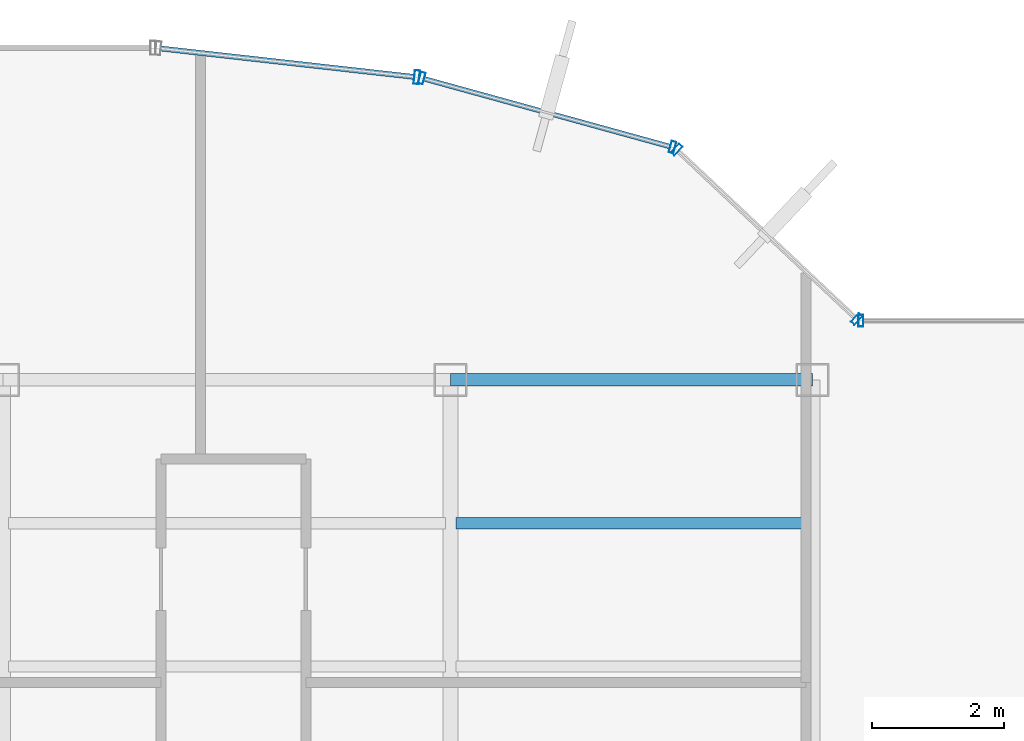
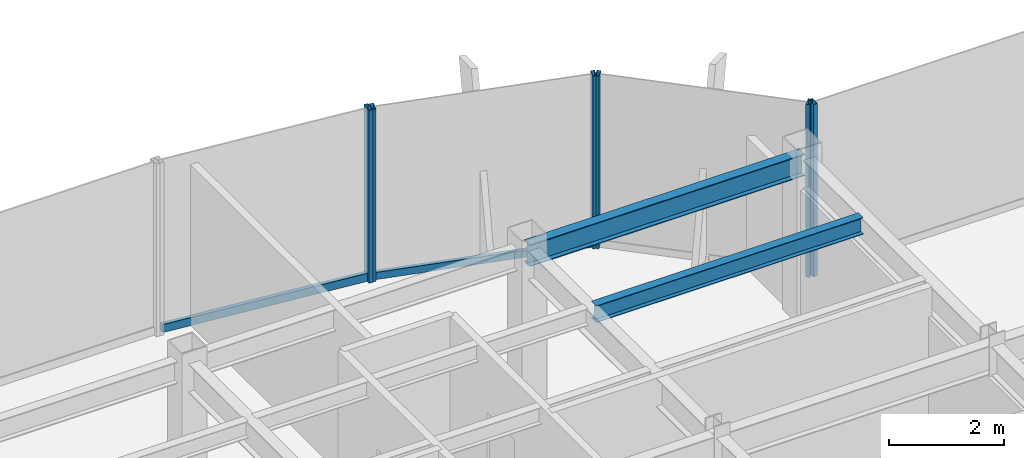
# One storey, part 14 of 22: 8 members, 2 beams, 4 elements without a shape of their own.
"""IFC4 building model written with IfcOpenShell, lengths in metres."""

from ifc_helpers import new_model, si_unit, derived_unit, direction, frame, origin, origin_2d, place, context, subcontext, project, spatial, hollow_rectangle, i_section, extrude, source, transform, mapped, material, material_profile, profile_set, type_object, element, aggregate, save


model = new_model("IFC4")

# Units and contexts
model_context = context("Model", 3, precision=1e-05, world=origin(), true_north=direction((0.0, 1.0)))
body_context = subcontext(model_context, "Body", "Model", "MODEL_VIEW")
ifc_project = project(units=[si_unit("LENGTHUNIT", "METRE"), si_unit("AREAUNIT", "SQUARE_METRE"), si_unit("VOLUMEUNIT", "CUBIC_METRE"), si_unit("PLANEANGLEUNIT", "RADIAN"), si_unit("MASSUNIT", "GRAM", prefix="KILO"), derived_unit("THERMALTRANSMITTANCEUNIT", [(si_unit("POWERUNIT", "WATT"), 1), (si_unit("LENGTHUNIT", "METRE"), -2), (si_unit("THERMODYNAMICTEMPERATUREUNIT", "KELVIN"), -1)])], contexts=[model_context])

# Site, building, storey
site_placement = place(None, origin())
site = spatial("IfcSite", under=ifc_project, at=site_placement, CompositionType="ELEMENT")
building_placement = place(site_placement, origin())
building = spatial("IfcBuilding", under=site, at=building_placement, Name="Skarnbrae Concourse Arena and Tower", CompositionType="ELEMENT")
storey_placement = place(building_placement, frame((0.0, 0.0, 217.800048828125)))
storey = spatial("IfcBuildingStorey", under=building, at=storey_placement, Name="L56", CompositionType="ELEMENT", Elevation=217.800048828125)

# Beams
ifc_material_1 = material(Name="Steel CSA G40.21 350W", Category="steel")
ifc_material_profile_1 = material_profile(ifc_material_1, i_section(OverallWidth=0.19091796875, OverallDepth=0.4599609375, WebThickness=0.010009765625, FlangeThickness=0.01611328125, at=origin_2d()), Name="W460X82")
ifc_profile_set_1 = profile_set([ifc_material_profile_1], Name="Steel CSA G40.21 350W")
beam_type_1 = type_object("IfcBeamType", Name="BM-SPAN-W460X82", PredefinedType="SPANDREL", material=ifc_profile_set_1)
shared_shape_1 = source(origin(), body_context, "Body", "SweptSolid", [
    extrude(i_section(OverallWidth=0.19091796875, OverallDepth=0.4599609375, WebThickness=0.010009765625, FlangeThickness=0.01611328125, at=origin_2d()), origin(), (0.0, 0.0, 1.0), 5.5),
])
beam_1_placement = place(storey_placement, frame((28.0, 34.39990234375, 3.169921875), z_axis=(1.0, 0.0, 0.0), x_axis=(0.0, 1.0, 0.0)))
element("IfcBeam", 1, at=beam_1_placement, inside=storey, type_object=beam_type_1, Name="L56 Perimeter spandrel Y34.4-4", PredefinedType="SPANDREL", context=body_context, shape_type="MappedRepresentation", body=[
    mapped(shared_shape_1, transform((0.0, 0.0, 0.0))),
])
ifc_material_profile_2 = material_profile(ifc_material_1, i_section(OverallWidth=0.1708984375, OverallDepth=0.35498046875, WebThickness=0.007080078125, FlangeThickness=0.01171875, at=origin_2d()), Name="W360X51")
ifc_profile_set_2 = profile_set([ifc_material_profile_2], Name="Steel CSA G40.21 350W")
beam_type_2 = type_object("IfcBeamType", Name="BM-JOIST-W360X51", PredefinedType="JOIST", material=ifc_profile_set_2)
shared_shape_2 = source(origin(), body_context, "Body", "SweptSolid", [
    extrude(i_section(OverallWidth=0.1708984375, OverallDepth=0.35498046875, WebThickness=0.007080078125, FlangeThickness=0.01171875, at=origin_2d()), origin(), (0.0, 0.0, 1.0), 5.33984375),
])
beam_2_placement = place(storey_placement, frame((28.080078125, 32.221923828125, 3.222412109375), z_axis=(1.0, 0.0, 0.0), x_axis=(0.0, 1.0, 0.0)))
element("IfcBeam", 2, at=beam_2_placement, inside=storey, type_object=beam_type_2, Name="L56 Secondary floor joist 3.2.4", PredefinedType="JOIST", context=body_context, shape_type="MappedRepresentation", body=[
    mapped(shared_shape_2, transform((0.0, 0.0, 0.0))),
])

# Curtain wall, member
ifc_material_2 = material(Name="Bronze anodised aluminium 6063-T6", Category="aluminium")
curtain_wall_type_1 = type_object("IfcCurtainWallType", Name="CW-SYS-03-PORTAL", PredefinedType="USERDEFINED", material=ifc_material_2)
curtain_wall_1_placement = place(storey_placement, origin())
curtain_wall_1 = element("IfcCurtainWall", 3, at=curtain_wall_1_placement, inside=storey, type_object=curtain_wall_type_1, Name="L56 Unitised curtain wall CW-L56-E10", ObjectType="UNITISED CURTAIN WALL", PredefinedType="USERDEFINED")
ifc_material_profile_3 = material_profile(ifc_material_2, hollow_rectangle(XDim=0.080078125, YDim=0.2099609375, WallThickness=0.00439453125, at=origin_2d()), Name="ALU-MULL-80X210")
ifc_profile_set_3 = profile_set([ifc_material_profile_3], Name="Bronze anodised aluminium 6063-T6")
member_type_1 = type_object("IfcMemberType", Name="CWM-CW-03", PredefinedType="MULLION", material=ifc_profile_set_3)
shared_shape_3 = source(origin(), body_context, "Body", "SweptSolid", [
    extrude(hollow_rectangle(XDim=0.080078125, YDim=0.2099609375, WallThickness=0.00439453125, at=origin_2d()), origin(), (0.0, 0.0, 1.0), 3.64990234375),
])
member_1_placement = place(storey_placement, frame((27.486083984375, 39.001708984375, 0.0), z_axis=(0.0, 0.0, 1.0), x_axis=(-0.993768891873, 0.111460259941, 0.0)))
member_1 = element("IfcMember", 4, at=member_1_placement, type_object=member_type_1, Name="CW-L56-E10 Mullion 1", PredefinedType="MULLION", context=body_context, shape_type="MappedRepresentation", body=[
    mapped(shared_shape_3, transform((0.0, 0.0, 0.0))),
])

curtain_wall_type_2 = type_object("IfcCurtainWallType", Name="CW-SYS-05-HIGHZONE", PredefinedType="USERDEFINED", material=ifc_material_2)
curtain_wall_2_placement = place(storey_placement, origin())
curtain_wall_2 = element("IfcCurtainWall", 5, at=curtain_wall_2_placement, inside=storey, type_object=curtain_wall_type_2, Name="L56 Unitised curtain wall CW-L56-E07", ObjectType="UNITISED CURTAIN WALL", PredefinedType="USERDEFINED")
ifc_material_profile_4 = material_profile(ifc_material_2, hollow_rectangle(XDim=0.074951171875, YDim=0.179931640625, WallThickness=0.00390625, at=origin_2d()), Name="ALU-MULL-75X180")
ifc_profile_set_4 = profile_set([ifc_material_profile_4], Name="Bronze anodised aluminium 6063-T6")
member_type_2 = type_object("IfcMemberType", Name="CWM-CW-05", PredefinedType="MULLION", material=ifc_profile_set_4)
shared_shape_4 = source(origin(), body_context, "Body", "SweptSolid", [
    extrude(hollow_rectangle(XDim=0.074951171875, YDim=0.179931640625, WallThickness=0.00390625, at=origin_2d()), origin(), (0.0, 0.0, 1.0), 3.64990234375),
])
member_2_placement = place(storey_placement, frame((34.237548828125, 35.300048828125, 0.0), z_axis=(0.0, 0.0, 1.0), x_axis=(-1.0, 0.0, 0.0)))
member_2 = element("IfcMember", 6, at=member_2_placement, type_object=member_type_2, Name="CW-L56-E07 Mullion 2", PredefinedType="MULLION", context=body_context, shape_type="MappedRepresentation", body=[
    mapped(shared_shape_4, transform((0.0, 0.0, 0.0))),
])
aggregate(curtain_wall_2, [member_2])

# Curtain wall, members
curtain_wall_3_placement = place(storey_placement, origin())
curtain_wall_3 = element("IfcCurtainWall", 7, at=curtain_wall_3_placement, inside=storey, type_object=curtain_wall_type_2, Name="L56 Unitised curtain wall CW-L56-E08", ObjectType="UNITISED CURTAIN WALL", PredefinedType="USERDEFINED")
member_3_placement = place(storey_placement, frame((34.172607421875, 35.32568359375, 0.0), z_axis=(0.0, 0.0, 1.0), x_axis=(-0.728130555214, 0.685438468838, 0.0)))
member_3 = element("IfcMember", 8, at=member_3_placement, type_object=member_type_2, Name="CW-L56-E08 Mullion 1", PredefinedType="MULLION", context=body_context, shape_type="MappedRepresentation", body=[
    mapped(shared_shape_4, transform((0.0, 0.0, 0.0))),
])
member_4_placement = place(storey_placement, frame((31.43701171875, 37.90087890625, 0.0), z_axis=(0.0, 0.0, 1.0), x_axis=(-0.728130555214, 0.685438468838, 0.0)))
member_4 = element("IfcMember", 9, at=member_4_placement, type_object=member_type_2, Name="CW-L56-E08 Mullion 2", PredefinedType="MULLION", context=body_context, shape_type="MappedRepresentation", body=[
    mapped(shared_shape_4, transform((0.0, 0.0, 0.0))),
])
aggregate(curtain_wall_3, [member_3, member_4])

curtain_wall_4_placement = place(storey_placement, origin())
curtain_wall_4 = element("IfcCurtainWall", 10, at=curtain_wall_4_placement, inside=storey, type_object=curtain_wall_type_2, Name="L56 Unitised curtain wall CW-L56-E09", ObjectType="UNITISED CURTAIN WALL", PredefinedType="USERDEFINED")
member_5_placement = place(storey_placement, frame((31.37353515625, 37.936767578125, 0.0), z_axis=(0.0, 0.0, 1.0), x_axis=(-0.964057388766, 0.265694093207, 0.0)))
member_5 = element("IfcMember", 11, at=member_5_placement, type_object=member_type_2, Name="CW-L56-E09 Mullion 1", PredefinedType="MULLION", context=body_context, shape_type="MappedRepresentation", body=[
    mapped(shared_shape_4, transform((0.0, 0.0, 0.0))),
])
member_6_placement = place(storey_placement, frame((27.56201171875, 38.987060546875, 0.0), z_axis=(0.0, 0.0, 1.0), x_axis=(-0.964057388766, 0.265694093207, 0.0)))
member_6 = element("IfcMember", 12, at=member_6_placement, type_object=member_type_2, Name="CW-L56-E09 Mullion 2", PredefinedType="MULLION", context=body_context, shape_type="MappedRepresentation", body=[
    mapped(shared_shape_4, transform((0.0, 0.0, 0.0))),
])
ifc_material_profile_5 = material_profile(ifc_material_2, hollow_rectangle(XDim=0.074951171875, YDim=0.14990234375, WallThickness=0.00390625, at=origin_2d()), Name="ALU-TRAN-75X150")
ifc_profile_set_5 = profile_set([ifc_material_profile_5], Name="Bronze anodised aluminium 6063-T6")
member_type_3 = type_object("IfcMemberType", Name="CWT-CW-05", PredefinedType="USERDEFINED", material=ifc_profile_set_5)
shared_shape_5 = source(origin(), body_context, "Body", "SweptSolid", [
    extrude(hollow_rectangle(XDim=0.074951171875, YDim=0.14990234375, WallThickness=0.00390625, at=origin_2d()), origin(), (0.0, 0.0, 1.0), 3.878662109375),
])
member_7_placement = place(storey_placement, frame((31.33740234375, 37.946533203125, 0.074951171875), z_axis=(-0.964042677713, 0.265747465742, 0.0), x_axis=(-0.265747465742, -0.964042677713, 0.0)))
member_7 = element("IfcMember", 13, at=member_7_placement, type_object=member_type_3, Name="CW-L56-E09 Transom 1", ObjectType="TRANSOM", PredefinedType="USERDEFINED", context=body_context, shape_type="MappedRepresentation", body=[
    mapped(shared_shape_5, transform((0.0, 0.0, 0.0))),
])
aggregate(curtain_wall_4, [member_5, member_6, member_7])

# Member
ifc_material_profile_6 = material_profile(ifc_material_2, hollow_rectangle(XDim=0.080078125, YDim=0.169921875, WallThickness=0.00439453125, at=origin_2d()), Name="ALU-TRAN-80X170")
ifc_profile_set_6 = profile_set([ifc_material_profile_6], Name="Bronze anodised aluminium 6063-T6")
member_type_4 = type_object("IfcMemberType", Name="CWT-CW-03", PredefinedType="USERDEFINED", material=ifc_profile_set_6)
shared_shape_6 = source(origin(), body_context, "Body", "SweptSolid", [
    extrude(hollow_rectangle(XDim=0.080078125, YDim=0.169921875, WallThickness=0.00439453125, at=origin_2d()), origin(), (0.0, 0.0, 1.0), 3.873779296875),
])
member_8_placement = place(storey_placement, frame((27.4462890625, 39.006103515625, 0.0849609375), z_axis=(-0.993772558096, 0.111427567397, 0.0), x_axis=(-0.111427567397, -0.993772558096, 0.0)))
member_8 = element("IfcMember", 14, at=member_8_placement, type_object=member_type_4, Name="CW-L56-E10 Transom 1", ObjectType="TRANSOM", PredefinedType="USERDEFINED", context=body_context, shape_type="MappedRepresentation", body=[
    mapped(shared_shape_6, transform((0.0, 0.0, 0.0))),
])

aggregate(curtain_wall_1, [member_1, member_8])

save(model, "model.ifc")
